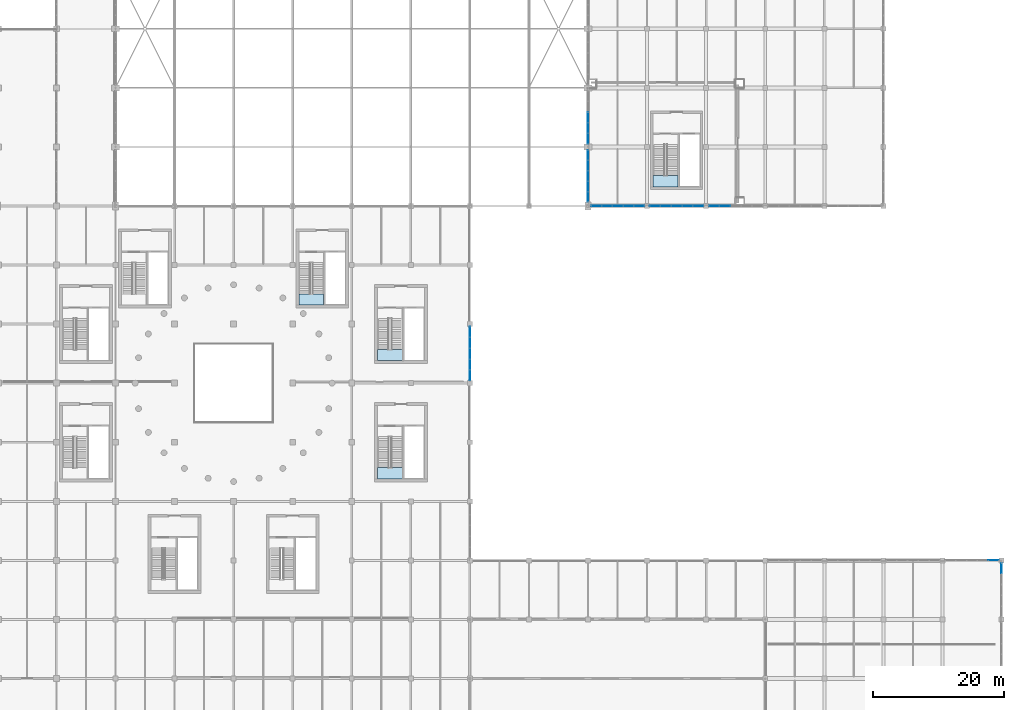
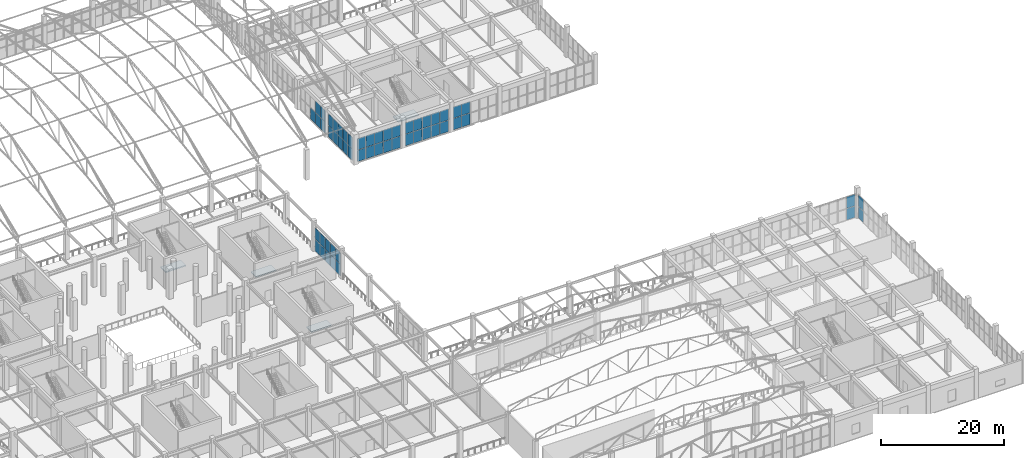
# One storey, part 176 of 223: 53 plates, 4 slabs, 12 elements without a shape of their own.
"""IFC4 building model written with IfcOpenShell, lengths in metres."""

from ifc_helpers import new_model, si_unit, direction, frame, origin, origin_2d, place, context, subcontext, project, spatial, polyline, rectangle, outline, extrude, material, layer, layer_set, type_object, element, aggregate, save


model = new_model("IFC4")

# Units and contexts
model_context = context("Model", 3, precision=1e-05, world=origin(), true_north=direction((0.0, 1.0)))
body_context = subcontext(model_context, "Body", "Model", "MODEL_VIEW")
ifc_project = project(units=[si_unit("LENGTHUNIT", "METRE"), si_unit("AREAUNIT", "SQUARE_METRE"), si_unit("VOLUMEUNIT", "CUBIC_METRE"), si_unit("PLANEANGLEUNIT", "RADIAN"), si_unit("MASSUNIT", "GRAM", prefix="KILO")], contexts=[model_context])

# Site, building, storey
site_placement = place(None, origin())
site = spatial("IfcSite", under=ifc_project, at=site_placement, CompositionType="ELEMENT")
building_placement = place(site_placement, origin())
building = spatial("IfcBuilding", under=site, at=building_placement, Name="Dornveld Trade and Exhibition Forum", CompositionType="ELEMENT")
storey_placement = place(building_placement, frame((0.0, 0.0, 6.0)))
storey = spatial("IfcBuildingStorey", under=building, at=storey_placement, Name="L01", CompositionType="ELEMENT", Elevation=6.0)

# Curtain wall, plates
ifc_material_1 = material(Name="Dark-bronze anodised aluminium and low-E glass", Category="aluminium")
ifc_layer_1 = layer(ifc_material_1, 0.1689453125)
ifc_layer_set_1 = layer_set([ifc_layer_1], Name="Dark-bronze anodised aluminium and low-E glass")
curtain_wall_type_1 = type_object("IfcCurtainWallType", Name="CW-SYS-09", PredefinedType="USERDEFINED", material=ifc_layer_set_1)
curtain_wall_1_placement = place(storey_placement, origin())
curtain_wall_1 = element("IfcCurtainWall", 1, at=curtain_wall_1_placement, inside=storey, type_object=curtain_wall_type_1, Name="L01 unitised curtain wall 9", ObjectType="UNITISED_CURTAIN_WALL", PredefinedType="USERDEFINED")
ifc_material_2 = material(Name="Double-glazed low-E solar control glass", Category="glass")
ifc_layer_2 = layer(ifc_material_2, 0.02587890625)
ifc_layer_set_2 = layer_set([ifc_layer_2], Name="Double-glazed low-E solar control glass")
plate_type_1 = type_object("IfcPlateType", Name="CW-PNL-01", PredefinedType="CURTAIN_PANEL", material=ifc_layer_set_2)
plate_1_placement = place(storey_placement, frame((171.0, 118.271728515625, 0.05615234375), z_axis=(0.0, 0.0, 1.0), x_axis=(0.0, 1.0, 0.0)))
plate_1 = element("IfcPlate", 2, at=plate_1_placement, type_object=plate_type_1, Name="CW-09 panel 1.1", PredefinedType="CURTAIN_PANEL", context=body_context, shape_type="SweptSolid", body=[
    extrude(rectangle(XDim=1.531494140625, YDim=0.02587890625, at=origin_2d()), origin(), (0.0, 0.0, 1.0), 2.261962890625),
])
plate_2_placement = place(storey_placement, frame((171.0, 118.271728515625, 2.3779296875), z_axis=(0.0, 0.0, 1.0), x_axis=(0.0, 1.0, 0.0)))
plate_2 = element("IfcPlate", 3, at=plate_2_placement, type_object=plate_type_1, Name="CW-09 panel 1.2", PredefinedType="CURTAIN_PANEL", context=body_context, shape_type="SweptSolid", body=[
    extrude(rectangle(XDim=1.531494140625, YDim=0.02587890625, at=origin_2d()), origin(), (0.0, 0.0, 1.0), 2.261962890625),
])
plate_3_placement = place(storey_placement, frame((171.0, 119.87841796875, 0.05615234375), z_axis=(0.0, 0.0, 1.0), x_axis=(0.0, 1.0, 0.0)))
plate_3 = element("IfcPlate", 4, at=plate_3_placement, type_object=plate_type_1, Name="CW-09 panel 2.1", PredefinedType="CURTAIN_PANEL", context=body_context, shape_type="SweptSolid", body=[
    extrude(rectangle(XDim=1.5615234375, YDim=0.02587890625, at=origin_2d()), origin(), (0.0, 0.0, 1.0), 2.261962890625),
])
plate_4_placement = place(storey_placement, frame((171.0, 119.87841796875, 2.3779296875), z_axis=(0.0, 0.0, 1.0), x_axis=(0.0, 1.0, 0.0)))
plate_4 = element("IfcPlate", 5, at=plate_4_placement, type_object=plate_type_1, Name="CW-09 panel 2.2", PredefinedType="CURTAIN_PANEL", context=body_context, shape_type="SweptSolid", body=[
    extrude(rectangle(XDim=1.5615234375, YDim=0.02587890625, at=origin_2d()), origin(), (0.0, 0.0, 1.0), 2.261962890625),
])
plate_5_placement = place(storey_placement, frame((171.0, 121.5, 0.05615234375), z_axis=(0.0, 0.0, 1.0), x_axis=(0.0, 1.0, 0.0)))
plate_5 = element("IfcPlate", 6, at=plate_5_placement, type_object=plate_type_1, Name="CW-09 panel 3.1", PredefinedType="CURTAIN_PANEL", context=body_context, shape_type="SweptSolid", body=[
    extrude(rectangle(XDim=1.5615234375, YDim=0.02587890625, at=origin_2d()), origin(), (0.0, 0.0, 1.0), 2.261962890625),
])
aggregate(curtain_wall_1, [plate_1, plate_2, plate_3, plate_4, plate_5])

ifc_material_3 = material(Name="Dark-bronze anodised aluminium and low-E glass", Category="aluminium")
ifc_layer_3 = layer(ifc_material_3, 0.18701171875)
ifc_layer_set_3 = layer_set([ifc_layer_3], Name="Dark-bronze anodised aluminium and low-E glass")
curtain_wall_type_2 = type_object("IfcCurtainWallType", Name="CW-SYS-15", PredefinedType="USERDEFINED", material=ifc_layer_set_3)
curtain_wall_2_placement = place(storey_placement, origin())
curtain_wall_2 = element("IfcCurtainWall", 7, at=curtain_wall_2_placement, inside=storey, type_object=curtain_wall_type_2, Name="L01 unitised curtain wall 105", ObjectType="UNITISED_CURTAIN_WALL", PredefinedType="USERDEFINED")
plate_6_placement = place(storey_placement, frame((181.2119140625, 108.0, 0.05615234375), z_axis=(0.0, 0.0, 1.0), x_axis=(1.0, 0.0, 0.0)))
plate_6 = element("IfcPlate", 8, at=plate_6_placement, type_object=plate_type_1, Name="CW-15 panel 1.1", PredefinedType="CURTAIN_PANEL", context=body_context, shape_type="SweptSolid", body=[
    extrude(rectangle(XDim=1.5615234375, YDim=0.02587890625, at=origin_2d()), origin(), (0.0, 0.0, 1.0), 2.261962890625),
])
plate_7_placement = place(storey_placement, frame((181.2119140625, 108.0, 2.3779296875), z_axis=(0.0, 0.0, 1.0), x_axis=(1.0, 0.0, 0.0)))
plate_7 = element("IfcPlate", 9, at=plate_7_placement, type_object=plate_type_1, Name="CW-15 panel 1.2", PredefinedType="CURTAIN_PANEL", context=body_context, shape_type="SweptSolid", body=[
    extrude(rectangle(XDim=1.5615234375, YDim=0.02587890625, at=origin_2d()), origin(), (0.0, 0.0, 1.0), 2.261962890625),
])
plate_8_placement = place(storey_placement, frame((182.848388671875, 108.0, 0.05615234375), z_axis=(0.0, 0.0, 1.0), x_axis=(1.0, 0.0, 0.0)))
plate_8 = element("IfcPlate", 10, at=plate_8_placement, type_object=plate_type_1, Name="CW-15 panel 2.1", PredefinedType="CURTAIN_PANEL", context=body_context, shape_type="SweptSolid", body=[
    extrude(rectangle(XDim=1.591552734375, YDim=0.02587890625, at=origin_2d()), origin(), (0.0, 0.0, 1.0), 2.261962890625),
])
plate_9_placement = place(storey_placement, frame((182.848388671875, 108.0, 2.3779296875), z_axis=(0.0, 0.0, 1.0), x_axis=(1.0, 0.0, 0.0)))
plate_9 = element("IfcPlate", 11, at=plate_9_placement, type_object=plate_type_1, Name="CW-15 panel 2.2", PredefinedType="CURTAIN_PANEL", context=body_context, shape_type="SweptSolid", body=[
    extrude(rectangle(XDim=1.591552734375, YDim=0.02587890625, at=origin_2d()), origin(), (0.0, 0.0, 1.0), 2.261962890625),
])
plate_10_placement = place(storey_placement, frame((184.5, 108.0, 0.05615234375), z_axis=(0.0, 0.0, 1.0), x_axis=(1.0, 0.0, 0.0)))
plate_10 = element("IfcPlate", 12, at=plate_10_placement, type_object=plate_type_1, Name="CW-15 panel 3.1", PredefinedType="CURTAIN_PANEL", context=body_context, shape_type="SweptSolid", body=[
    extrude(rectangle(XDim=1.591552734375, YDim=0.02587890625, at=origin_2d()), origin(), (0.0, 0.0, 1.0), 2.261962890625),
])
plate_11_placement = place(storey_placement, frame((184.5, 108.0, 2.3779296875), z_axis=(0.0, 0.0, 1.0), x_axis=(1.0, 0.0, 0.0)))
plate_11 = element("IfcPlate", 13, at=plate_11_placement, type_object=plate_type_1, Name="CW-15 panel 3.2", PredefinedType="CURTAIN_PANEL", context=body_context, shape_type="SweptSolid", body=[
    extrude(rectangle(XDim=1.591552734375, YDim=0.02587890625, at=origin_2d()), origin(), (0.0, 0.0, 1.0), 2.261962890625),
])
plate_12_placement = place(storey_placement, frame((186.151611328125, 108.0, 0.05615234375), z_axis=(0.0, 0.0, 1.0), x_axis=(1.0, 0.0, 0.0)))
plate_12 = element("IfcPlate", 14, at=plate_12_placement, type_object=plate_type_1, Name="CW-15 panel 4.1", PredefinedType="CURTAIN_PANEL", context=body_context, shape_type="SweptSolid", body=[
    extrude(rectangle(XDim=1.591552734375, YDim=0.02587890625, at=origin_2d()), origin(), (0.0, 0.0, 1.0), 2.261962890625),
])
plate_13_placement = place(storey_placement, frame((186.151611328125, 108.0, 2.3779296875), z_axis=(0.0, 0.0, 1.0), x_axis=(1.0, 0.0, 0.0)))
plate_13 = element("IfcPlate", 15, at=plate_13_placement, type_object=plate_type_1, Name="CW-15 panel 4.2", PredefinedType="CURTAIN_PANEL", context=body_context, shape_type="SweptSolid", body=[
    extrude(rectangle(XDim=1.591552734375, YDim=0.02587890625, at=origin_2d()), origin(), (0.0, 0.0, 1.0), 2.261962890625),
])
plate_14_placement = place(storey_placement, frame((187.7880859375, 108.0, 0.05615234375), z_axis=(0.0, 0.0, 1.0), x_axis=(1.0, 0.0, 0.0)))
plate_14 = element("IfcPlate", 16, at=plate_14_placement, type_object=plate_type_1, Name="CW-15 panel 5.1", PredefinedType="CURTAIN_PANEL", context=body_context, shape_type="SweptSolid", body=[
    extrude(rectangle(XDim=1.5615234375, YDim=0.02587890625, at=origin_2d()), origin(), (0.0, 0.0, 1.0), 2.261962890625),
])
plate_15_placement = place(storey_placement, frame((187.7880859375, 108.0, 2.3779296875), z_axis=(0.0, 0.0, 1.0), x_axis=(1.0, 0.0, 0.0)))
plate_15 = element("IfcPlate", 17, at=plate_15_placement, type_object=plate_type_1, Name="CW-15 panel 5.2", PredefinedType="CURTAIN_PANEL", context=body_context, shape_type="SweptSolid", body=[
    extrude(rectangle(XDim=1.5615234375, YDim=0.02587890625, at=origin_2d()), origin(), (0.0, 0.0, 1.0), 2.261962890625),
])
aggregate(curtain_wall_2, [plate_6, plate_7, plate_8, plate_9, plate_10, plate_11, plate_12, plate_13, plate_14, plate_15])

ifc_material_4 = material(Name="Dark-bronze anodised aluminium and low-E glass", Category="aluminium")
ifc_layer_4 = layer(ifc_material_4, 0.196044921875)
ifc_layer_set_4 = layer_set([ifc_layer_4], Name="Dark-bronze anodised aluminium and low-E glass")
curtain_wall_type_3 = type_object("IfcCurtainWallType", Name="CW-SYS-18", PredefinedType="USERDEFINED", material=ifc_layer_set_4)
curtain_wall_3_placement = place(storey_placement, origin())
curtain_wall_3 = element("IfcCurtainWall", 18, at=curtain_wall_3_placement, inside=storey, type_object=curtain_wall_type_3, Name="L01 unitised curtain wall 90", ObjectType="UNITISED_CURTAIN_WALL", PredefinedType="USERDEFINED")
ifc_material_5 = material(Name="Double-glazed low-E solar control glass", Category="glass")
ifc_layer_5 = layer(ifc_material_5, 0.028076171875)
ifc_layer_set_5 = layer_set([ifc_layer_5], Name="Double-glazed low-E solar control glass")
plate_type_2 = type_object("IfcPlateType", Name="CW-PNL-02", PredefinedType="CURTAIN_PANEL", material=ifc_layer_set_5)
plate_16_placement = place(storey_placement, frame((232.7880859375, 54.0, 0.05615234375), z_axis=(0.0, 0.0, 1.0), x_axis=(-1.0, 0.0, 0.0)))
plate_16 = element("IfcPlate", 19, at=plate_16_placement, type_object=plate_type_2, Name="CW-18 panel 1.1", PredefinedType="CURTAIN_PANEL", context=body_context, shape_type="SweptSolid", body=[
    extrude(rectangle(XDim=1.5615234375, YDim=0.028076171875, at=origin_2d()), origin(), (0.0, 0.0, 1.0), 2.261962890625),
])
plate_17_placement = place(storey_placement, frame((232.7880859375, 54.0, 2.3779296875), z_axis=(0.0, 0.0, 1.0), x_axis=(-1.0, 0.0, 0.0)))
plate_17 = element("IfcPlate", 20, at=plate_17_placement, type_object=plate_type_2, Name="CW-18 panel 1.2", PredefinedType="CURTAIN_PANEL", context=body_context, shape_type="SweptSolid", body=[
    extrude(rectangle(XDim=1.5615234375, YDim=0.028076171875, at=origin_2d()), origin(), (0.0, 0.0, 1.0), 2.261962890625),
])
aggregate(curtain_wall_3, [plate_16, plate_17])

ifc_material_6 = material(Name="Dark-bronze anodised aluminium and low-E glass", Category="aluminium")
ifc_layer_6 = layer(ifc_material_6, 0.18994140625)
ifc_layer_set_6 = layer_set([ifc_layer_6], Name="Dark-bronze anodised aluminium and low-E glass")
curtain_wall_type_4 = type_object("IfcCurtainWallType", Name="CW-SYS-16", PredefinedType="USERDEFINED", material=ifc_layer_set_6)
curtain_wall_4_placement = place(storey_placement, origin())
curtain_wall_4 = element("IfcCurtainWall", 21, at=curtain_wall_4_placement, inside=storey, type_object=curtain_wall_type_4, Name="L01 unitised curtain wall 106", ObjectType="UNITISED_CURTAIN_WALL", PredefinedType="USERDEFINED")
plate_18_placement = place(storey_placement, frame((190.2119140625, 108.0, 0.05615234375), z_axis=(0.0, 0.0, 1.0), x_axis=(1.0, 0.0, 0.0)))
plate_18 = element("IfcPlate", 22, at=plate_18_placement, type_object=plate_type_2, Name="CW-16 panel 1.1", PredefinedType="CURTAIN_PANEL", context=body_context, shape_type="SweptSolid", body=[
    extrude(rectangle(XDim=1.5615234375, YDim=0.028076171875, at=origin_2d()), origin(), (0.0, 0.0, 1.0), 2.261962890625),
])
plate_19_placement = place(storey_placement, frame((190.2119140625, 108.0, 2.3779296875), z_axis=(0.0, 0.0, 1.0), x_axis=(1.0, 0.0, 0.0)))
plate_19 = element("IfcPlate", 23, at=plate_19_placement, type_object=plate_type_2, Name="CW-16 panel 1.2", PredefinedType="CURTAIN_PANEL", context=body_context, shape_type="SweptSolid", body=[
    extrude(rectangle(XDim=1.5615234375, YDim=0.028076171875, at=origin_2d()), origin(), (0.0, 0.0, 1.0), 2.261962890625),
])
plate_20_placement = place(storey_placement, frame((191.848388671875, 108.0, 0.05615234375), z_axis=(0.0, 0.0, 1.0), x_axis=(1.0, 0.0, 0.0)))
plate_20 = element("IfcPlate", 24, at=plate_20_placement, type_object=plate_type_2, Name="CW-16 panel 2.1", PredefinedType="CURTAIN_PANEL", context=body_context, shape_type="SweptSolid", body=[
    extrude(rectangle(XDim=1.591552734375, YDim=0.028076171875, at=origin_2d()), origin(), (0.0, 0.0, 1.0), 2.261962890625),
])
plate_21_placement = place(storey_placement, frame((191.848388671875, 108.0, 2.3779296875), z_axis=(0.0, 0.0, 1.0), x_axis=(1.0, 0.0, 0.0)))
plate_21 = element("IfcPlate", 25, at=plate_21_placement, type_object=plate_type_2, Name="CW-16 panel 2.2", PredefinedType="CURTAIN_PANEL", context=body_context, shape_type="SweptSolid", body=[
    extrude(rectangle(XDim=1.591552734375, YDim=0.028076171875, at=origin_2d()), origin(), (0.0, 0.0, 1.0), 2.261962890625),
])
aggregate(curtain_wall_4, [plate_18, plate_19, plate_20, plate_21])

ifc_material_7 = material(Name="Dark-bronze anodised aluminium and low-E glass", Category="aluminium")
ifc_layer_7 = layer(ifc_material_7, 0.15087890625)
ifc_layer_set_7 = layer_set([ifc_layer_7], Name="Dark-bronze anodised aluminium and low-E glass")
curtain_wall_type_5 = type_object("IfcCurtainWallType", Name="CW-SYS-03", PredefinedType="USERDEFINED", material=ifc_layer_set_7)
curtain_wall_5_placement = place(storey_placement, origin())
curtain_wall_5 = element("IfcCurtainWall", 26, at=curtain_wall_5_placement, inside=storey, type_object=curtain_wall_type_5, Name="L01 unitised curtain wall 75", ObjectType="UNITISED_CURTAIN_WALL", PredefinedType="USERDEFINED")
ifc_material_8 = material(Name="Double-glazed low-E solar control glass", Category="glass")
ifc_layer_8 = layer(ifc_material_8, 0.030029296875)
ifc_layer_set_8 = layer_set([ifc_layer_8], Name="Double-glazed low-E solar control glass")
plate_type_3 = type_object("IfcPlateType", Name="CW-PNL-03", PredefinedType="CURTAIN_PANEL", material=ifc_layer_set_8)
plate_22_placement = place(storey_placement, frame((234.0, 52.7880859375, 0.05615234375), z_axis=(0.0, 0.0, 1.0), x_axis=(0.0, 1.0, 0.0)))
plate_22 = element("IfcPlate", 27, at=plate_22_placement, type_object=plate_type_3, Name="CW-03 panel 5.1", PredefinedType="CURTAIN_PANEL", context=body_context, shape_type="SweptSolid", body=[
    extrude(rectangle(XDim=1.5615234375, YDim=0.030029296875, at=origin_2d()), origin(), (0.0, 0.0, 1.0), 2.261962890625),
])
plate_23_placement = place(storey_placement, frame((234.0, 52.7880859375, 2.3779296875), z_axis=(0.0, 0.0, 1.0), x_axis=(0.0, 1.0, 0.0)))
plate_23 = element("IfcPlate", 28, at=plate_23_placement, type_object=plate_type_3, Name="CW-03 panel 5.2", PredefinedType="CURTAIN_PANEL", context=body_context, shape_type="SweptSolid", body=[
    extrude(rectangle(XDim=1.5615234375, YDim=0.030029296875, at=origin_2d()), origin(), (0.0, 0.0, 1.0), 2.261962890625),
])
aggregate(curtain_wall_5, [plate_22, plate_23])

ifc_material_9 = material(Name="Dark-bronze anodised aluminium and low-E glass", Category="aluminium")
ifc_layer_9 = layer(ifc_material_9, 0.1630859375)
ifc_layer_set_9 = layer_set([ifc_layer_9], Name="Dark-bronze anodised aluminium and low-E glass")
curtain_wall_type_6 = type_object("IfcCurtainWallType", Name="CW-SYS-07", PredefinedType="USERDEFINED", material=ifc_layer_set_9)
curtain_wall_6_placement = place(storey_placement, origin())
curtain_wall_6 = element("IfcCurtainWall", 29, at=curtain_wall_6_placement, inside=storey, type_object=curtain_wall_type_6, Name="L01 unitised curtain wall 61", ObjectType="UNITISED_CURTAIN_WALL", PredefinedType="USERDEFINED")
ifc_material_10 = material(Name="Double-glazed low-E solar control glass", Category="glass")
ifc_layer_10 = layer(ifc_material_10, 0.033935546875)
ifc_layer_set_10 = layer_set([ifc_layer_10], Name="Double-glazed low-E solar control glass")
plate_type_4 = type_object("IfcPlateType", Name="CW-PNL-05", PredefinedType="CURTAIN_PANEL", material=ifc_layer_set_10)
plate_24_placement = place(storey_placement, frame((153.0, 82.2119140625, 0.05615234375), z_axis=(0.0, 0.0, 1.0), x_axis=(0.0, 1.0, 0.0)))
plate_24 = element("IfcPlate", 30, at=plate_24_placement, type_object=plate_type_4, Name="CW-07 panel 1.1", PredefinedType="CURTAIN_PANEL", context=body_context, shape_type="SweptSolid", body=[
    extrude(rectangle(XDim=1.5615234375, YDim=0.033935546875, at=origin_2d()), origin(), (0.0, 0.0, 1.0), 2.261962890625),
])
plate_25_placement = place(storey_placement, frame((153.0, 82.2119140625, 2.3779296875), z_axis=(0.0, 0.0, 1.0), x_axis=(0.0, 1.0, 0.0)))
plate_25 = element("IfcPlate", 31, at=plate_25_placement, type_object=plate_type_4, Name="CW-07 panel 1.2", PredefinedType="CURTAIN_PANEL", context=body_context, shape_type="SweptSolid", body=[
    extrude(rectangle(XDim=1.5615234375, YDim=0.033935546875, at=origin_2d()), origin(), (0.0, 0.0, 1.0), 2.261962890625),
])
plate_26_placement = place(storey_placement, frame((153.0, 83.848388671875, 0.05615234375), z_axis=(0.0, 0.0, 1.0), x_axis=(0.0, 1.0, 0.0)))
plate_26 = element("IfcPlate", 32, at=plate_26_placement, type_object=plate_type_4, Name="CW-07 panel 2.1", PredefinedType="CURTAIN_PANEL", context=body_context, shape_type="SweptSolid", body=[
    extrude(rectangle(XDim=1.591552734375, YDim=0.033935546875, at=origin_2d()), origin(), (0.0, 0.0, 1.0), 2.261962890625),
])
plate_27_placement = place(storey_placement, frame((153.0, 83.848388671875, 2.3779296875), z_axis=(0.0, 0.0, 1.0), x_axis=(0.0, 1.0, 0.0)))
plate_27 = element("IfcPlate", 33, at=plate_27_placement, type_object=plate_type_4, Name="CW-07 panel 2.2", PredefinedType="CURTAIN_PANEL", context=body_context, shape_type="SweptSolid", body=[
    extrude(rectangle(XDim=1.591552734375, YDim=0.033935546875, at=origin_2d()), origin(), (0.0, 0.0, 1.0), 2.261962890625),
])
plate_28_placement = place(storey_placement, frame((153.0, 85.5, 0.05615234375), z_axis=(0.0, 0.0, 1.0), x_axis=(0.0, 1.0, 0.0)))
plate_28 = element("IfcPlate", 34, at=plate_28_placement, type_object=plate_type_4, Name="CW-07 panel 3.1", PredefinedType="CURTAIN_PANEL", context=body_context, shape_type="SweptSolid", body=[
    extrude(rectangle(XDim=1.591552734375, YDim=0.033935546875, at=origin_2d()), origin(), (0.0, 0.0, 1.0), 2.261962890625),
])
plate_29_placement = place(storey_placement, frame((153.0, 85.5, 2.3779296875), z_axis=(0.0, 0.0, 1.0), x_axis=(0.0, 1.0, 0.0)))
plate_29 = element("IfcPlate", 35, at=plate_29_placement, type_object=plate_type_4, Name="CW-07 panel 3.2", PredefinedType="CURTAIN_PANEL", context=body_context, shape_type="SweptSolid", body=[
    extrude(rectangle(XDim=1.591552734375, YDim=0.033935546875, at=origin_2d()), origin(), (0.0, 0.0, 1.0), 2.261962890625),
])
plate_30_placement = place(storey_placement, frame((153.0, 87.151611328125, 0.05615234375), z_axis=(0.0, 0.0, 1.0), x_axis=(0.0, 1.0, 0.0)))
plate_30 = element("IfcPlate", 36, at=plate_30_placement, type_object=plate_type_4, Name="CW-07 panel 4.1", PredefinedType="CURTAIN_PANEL", context=body_context, shape_type="SweptSolid", body=[
    extrude(rectangle(XDim=1.591552734375, YDim=0.033935546875, at=origin_2d()), origin(), (0.0, 0.0, 1.0), 2.261962890625),
])
plate_31_placement = place(storey_placement, frame((153.0, 87.151611328125, 2.3779296875), z_axis=(0.0, 0.0, 1.0), x_axis=(0.0, 1.0, 0.0)))
plate_31 = element("IfcPlate", 37, at=plate_31_placement, type_object=plate_type_4, Name="CW-07 panel 4.2", PredefinedType="CURTAIN_PANEL", context=body_context, shape_type="SweptSolid", body=[
    extrude(rectangle(XDim=1.591552734375, YDim=0.033935546875, at=origin_2d()), origin(), (0.0, 0.0, 1.0), 2.261962890625),
])
plate_32_placement = place(storey_placement, frame((153.0, 88.7880859375, 0.05615234375), z_axis=(0.0, 0.0, 1.0), x_axis=(0.0, 1.0, 0.0)))
plate_32 = element("IfcPlate", 38, at=plate_32_placement, type_object=plate_type_4, Name="CW-07 panel 5.1", PredefinedType="CURTAIN_PANEL", context=body_context, shape_type="SweptSolid", body=[
    extrude(rectangle(XDim=1.5615234375, YDim=0.033935546875, at=origin_2d()), origin(), (0.0, 0.0, 1.0), 2.261962890625),
])
plate_33_placement = place(storey_placement, frame((153.0, 88.7880859375, 2.3779296875), z_axis=(0.0, 0.0, 1.0), x_axis=(0.0, 1.0, 0.0)))
plate_33 = element("IfcPlate", 39, at=plate_33_placement, type_object=plate_type_4, Name="CW-07 panel 5.2", PredefinedType="CURTAIN_PANEL", context=body_context, shape_type="SweptSolid", body=[
    extrude(rectangle(XDim=1.5615234375, YDim=0.033935546875, at=origin_2d()), origin(), (0.0, 0.0, 1.0), 2.261962890625),
])
aggregate(curtain_wall_6, [plate_24, plate_25, plate_26, plate_27, plate_28, plate_29, plate_30, plate_31, plate_32, plate_33])

curtain_wall_7_placement = place(storey_placement, origin())
curtain_wall_7 = element("IfcCurtainWall", 40, at=curtain_wall_7_placement, inside=storey, type_object=curtain_wall_type_6, Name="L01 unitised curtain wall 7", ObjectType="UNITISED_CURTAIN_WALL", PredefinedType="USERDEFINED")
ifc_material_11 = material(Name="Double-glazed low-E solar control glass", Category="glass")
ifc_layer_11 = layer(ifc_material_11, 0.0380859375)
ifc_layer_set_11 = layer_set([ifc_layer_11], Name="Double-glazed low-E solar control glass")
plate_type_5 = type_object("IfcPlateType", Name="CW-PNL-07", PredefinedType="CURTAIN_PANEL", material=ifc_layer_set_11)
plate_34_placement = place(storey_placement, frame((171.0, 109.40673828125, 0.05615234375), z_axis=(0.0, 0.0, 1.0), x_axis=(0.0, 1.0, 0.0)))
plate_34 = element("IfcPlate", 41, at=plate_34_placement, type_object=plate_type_5, Name="CW-07 panel 1.1", PredefinedType="CURTAIN_PANEL", context=body_context, shape_type="SweptSolid", body=[
    extrude(rectangle(XDim=1.501708984375, YDim=0.0380859375, at=origin_2d()), origin(), (0.0, 0.0, 1.0), 2.261962890625),
])
plate_35_placement = place(storey_placement, frame((171.0, 109.40673828125, 2.3779296875), z_axis=(0.0, 0.0, 1.0), x_axis=(0.0, 1.0, 0.0)))
plate_35 = element("IfcPlate", 42, at=plate_35_placement, type_object=plate_type_5, Name="CW-07 panel 1.2", PredefinedType="CURTAIN_PANEL", context=body_context, shape_type="SweptSolid", body=[
    extrude(rectangle(XDim=1.501708984375, YDim=0.0380859375, at=origin_2d()), origin(), (0.0, 0.0, 1.0), 2.261962890625),
])
plate_36_placement = place(storey_placement, frame((171.0, 110.9833984375, 0.05615234375), z_axis=(0.0, 0.0, 1.0), x_axis=(0.0, 1.0, 0.0)))
plate_36 = element("IfcPlate", 43, at=plate_36_placement, type_object=plate_type_5, Name="CW-07 panel 2.1", PredefinedType="CURTAIN_PANEL", context=body_context, shape_type="SweptSolid", body=[
    extrude(rectangle(XDim=1.531494140625, YDim=0.0380859375, at=origin_2d()), origin(), (0.0, 0.0, 1.0), 2.261962890625),
])
plate_37_placement = place(storey_placement, frame((171.0, 110.9833984375, 2.3779296875), z_axis=(0.0, 0.0, 1.0), x_axis=(0.0, 1.0, 0.0)))
plate_37 = element("IfcPlate", 44, at=plate_37_placement, type_object=plate_type_5, Name="CW-07 panel 2.2", PredefinedType="CURTAIN_PANEL", context=body_context, shape_type="SweptSolid", body=[
    extrude(rectangle(XDim=1.531494140625, YDim=0.0380859375, at=origin_2d()), origin(), (0.0, 0.0, 1.0), 2.261962890625),
])
plate_38_placement = place(storey_placement, frame((171.0, 112.574951171875, 0.05615234375), z_axis=(0.0, 0.0, 1.0), x_axis=(0.0, 1.0, 0.0)))
plate_38 = element("IfcPlate", 45, at=plate_38_placement, type_object=plate_type_5, Name="CW-07 panel 3.1", PredefinedType="CURTAIN_PANEL", context=body_context, shape_type="SweptSolid", body=[
    extrude(rectangle(XDim=1.531494140625, YDim=0.0380859375, at=origin_2d()), origin(), (0.0, 0.0, 1.0), 2.261962890625),
])
plate_39_placement = place(storey_placement, frame((171.0, 112.574951171875, 2.3779296875), z_axis=(0.0, 0.0, 1.0), x_axis=(0.0, 1.0, 0.0)))
plate_39 = element("IfcPlate", 46, at=plate_39_placement, type_object=plate_type_5, Name="CW-07 panel 3.2", PredefinedType="CURTAIN_PANEL", context=body_context, shape_type="SweptSolid", body=[
    extrude(rectangle(XDim=1.531494140625, YDim=0.0380859375, at=origin_2d()), origin(), (0.0, 0.0, 1.0), 2.261962890625),
])
plate_40_placement = place(storey_placement, frame((171.0, 114.16650390625, 0.05615234375), z_axis=(0.0, 0.0, 1.0), x_axis=(0.0, 1.0, 0.0)))
plate_40 = element("IfcPlate", 47, at=plate_40_placement, type_object=plate_type_5, Name="CW-07 panel 4.1", PredefinedType="CURTAIN_PANEL", context=body_context, shape_type="SweptSolid", body=[
    extrude(rectangle(XDim=1.531494140625, YDim=0.0380859375, at=origin_2d()), origin(), (0.0, 0.0, 1.0), 2.261962890625),
])
plate_41_placement = place(storey_placement, frame((171.0, 114.16650390625, 2.3779296875), z_axis=(0.0, 0.0, 1.0), x_axis=(0.0, 1.0, 0.0)))
plate_41 = element("IfcPlate", 48, at=plate_41_placement, type_object=plate_type_5, Name="CW-07 panel 4.2", PredefinedType="CURTAIN_PANEL", context=body_context, shape_type="SweptSolid", body=[
    extrude(rectangle(XDim=1.531494140625, YDim=0.0380859375, at=origin_2d()), origin(), (0.0, 0.0, 1.0), 2.261962890625),
])
plate_42_placement = place(storey_placement, frame((171.0, 115.7431640625, 0.05615234375), z_axis=(0.0, 0.0, 1.0), x_axis=(0.0, 1.0, 0.0)))
plate_42 = element("IfcPlate", 49, at=plate_42_placement, type_object=plate_type_5, Name="CW-07 panel 5.1", PredefinedType="CURTAIN_PANEL", context=body_context, shape_type="SweptSolid", body=[
    extrude(rectangle(XDim=1.501708984375, YDim=0.0380859375, at=origin_2d()), origin(), (0.0, 0.0, 1.0), 2.261962890625),
])
plate_43_placement = place(storey_placement, frame((171.0, 115.7431640625, 2.3779296875), z_axis=(0.0, 0.0, 1.0), x_axis=(0.0, 1.0, 0.0)))
plate_43 = element("IfcPlate", 50, at=plate_43_placement, type_object=plate_type_5, Name="CW-07 panel 5.2", PredefinedType="CURTAIN_PANEL", context=body_context, shape_type="SweptSolid", body=[
    extrude(rectangle(XDim=1.501708984375, YDim=0.0380859375, at=origin_2d()), origin(), (0.0, 0.0, 1.0), 2.261962890625),
])
aggregate(curtain_wall_7, [plate_34, plate_35, plate_36, plate_37, plate_38, plate_39, plate_40, plate_41, plate_42, plate_43])

ifc_material_12 = material(Name="Dark-bronze anodised aluminium and low-E glass", Category="aluminium")
ifc_layer_12 = layer(ifc_material_12, 0.18408203125)
ifc_layer_set_12 = layer_set([ifc_layer_12], Name="Dark-bronze anodised aluminium and low-E glass")
curtain_wall_type_7 = type_object("IfcCurtainWallType", Name="CW-SYS-14", PredefinedType="USERDEFINED", material=ifc_layer_set_12)
curtain_wall_8_placement = place(storey_placement, origin())
curtain_wall_8 = element("IfcCurtainWall", 51, at=curtain_wall_8_placement, inside=storey, type_object=curtain_wall_type_7, Name="L01 unitised curtain wall 104", ObjectType="UNITISED_CURTAIN_WALL", PredefinedType="USERDEFINED")
ifc_material_13 = material(Name="Double-glazed low-E solar control glass", Category="glass")
ifc_layer_13 = layer(ifc_material_13, 0.0400390625)
ifc_layer_set_13 = layer_set([ifc_layer_13], Name="Double-glazed low-E solar control glass")
plate_type_6 = type_object("IfcPlateType", Name="CW-PNL-08", PredefinedType="CURTAIN_PANEL", material=ifc_layer_set_13)
plate_44_placement = place(storey_placement, frame((172.279296875, 108.0, 0.05615234375), z_axis=(0.0, 0.0, 1.0), x_axis=(1.0, 0.0, 0.0)))
plate_44 = element("IfcPlate", 52, at=plate_44_placement, type_object=plate_type_6, Name="CW-14 panel 1.1", PredefinedType="CURTAIN_PANEL", context=body_context, shape_type="SweptSolid", body=[
    extrude(rectangle(XDim=1.546630859375, YDim=0.0400390625, at=origin_2d()), origin(), (0.0, 0.0, 1.0), 2.261962890625),
])
plate_45_placement = place(storey_placement, frame((172.279296875, 108.0, 2.3779296875), z_axis=(0.0, 0.0, 1.0), x_axis=(1.0, 0.0, 0.0)))
plate_45 = element("IfcPlate", 53, at=plate_45_placement, type_object=plate_type_6, Name="CW-14 panel 1.2", PredefinedType="CURTAIN_PANEL", context=body_context, shape_type="SweptSolid", body=[
    extrude(rectangle(XDim=1.546630859375, YDim=0.0400390625, at=origin_2d()), origin(), (0.0, 0.0, 1.0), 2.261962890625),
])
plate_46_placement = place(storey_placement, frame((173.90087890625, 108.0, 0.05615234375), z_axis=(0.0, 0.0, 1.0), x_axis=(1.0, 0.0, 0.0)))
plate_46 = element("IfcPlate", 54, at=plate_46_placement, type_object=plate_type_6, Name="CW-14 panel 2.1", PredefinedType="CURTAIN_PANEL", context=body_context, shape_type="SweptSolid", body=[
    extrude(rectangle(XDim=1.57666015625, YDim=0.0400390625, at=origin_2d()), origin(), (0.0, 0.0, 1.0), 2.261962890625),
])
plate_47_placement = place(storey_placement, frame((173.90087890625, 108.0, 2.3779296875), z_axis=(0.0, 0.0, 1.0), x_axis=(1.0, 0.0, 0.0)))
plate_47 = element("IfcPlate", 55, at=plate_47_placement, type_object=plate_type_6, Name="CW-14 panel 2.2", PredefinedType="CURTAIN_PANEL", context=body_context, shape_type="SweptSolid", body=[
    extrude(rectangle(XDim=1.57666015625, YDim=0.0400390625, at=origin_2d()), origin(), (0.0, 0.0, 1.0), 2.261962890625),
])
plate_48_placement = place(storey_placement, frame((175.53759765625, 108.0, 0.05615234375), z_axis=(0.0, 0.0, 1.0), x_axis=(1.0, 0.0, 0.0)))
plate_48 = element("IfcPlate", 56, at=plate_48_placement, type_object=plate_type_6, Name="CW-14 panel 3.1", PredefinedType="CURTAIN_PANEL", context=body_context, shape_type="SweptSolid", body=[
    extrude(rectangle(XDim=1.57666015625, YDim=0.0400390625, at=origin_2d()), origin(), (0.0, 0.0, 1.0), 2.261962890625),
])
plate_49_placement = place(storey_placement, frame((175.53759765625, 108.0, 2.3779296875), z_axis=(0.0, 0.0, 1.0), x_axis=(1.0, 0.0, 0.0)))
plate_49 = element("IfcPlate", 57, at=plate_49_placement, type_object=plate_type_6, Name="CW-14 panel 3.2", PredefinedType="CURTAIN_PANEL", context=body_context, shape_type="SweptSolid", body=[
    extrude(rectangle(XDim=1.57666015625, YDim=0.0400390625, at=origin_2d()), origin(), (0.0, 0.0, 1.0), 2.261962890625),
])
plate_50_placement = place(storey_placement, frame((177.174072265625, 108.0, 0.05615234375), z_axis=(0.0, 0.0, 1.0), x_axis=(1.0, 0.0, 0.0)))
plate_50 = element("IfcPlate", 58, at=plate_50_placement, type_object=plate_type_6, Name="CW-14 panel 4.1", PredefinedType="CURTAIN_PANEL", context=body_context, shape_type="SweptSolid", body=[
    extrude(rectangle(XDim=1.57666015625, YDim=0.0400390625, at=origin_2d()), origin(), (0.0, 0.0, 1.0), 2.261962890625),
])
plate_51_placement = place(storey_placement, frame((177.174072265625, 108.0, 2.3779296875), z_axis=(0.0, 0.0, 1.0), x_axis=(1.0, 0.0, 0.0)))
plate_51 = element("IfcPlate", 59, at=plate_51_placement, type_object=plate_type_6, Name="CW-14 panel 4.2", PredefinedType="CURTAIN_PANEL", context=body_context, shape_type="SweptSolid", body=[
    extrude(rectangle(XDim=1.57666015625, YDim=0.0400390625, at=origin_2d()), origin(), (0.0, 0.0, 1.0), 2.261962890625),
])
plate_52_placement = place(storey_placement, frame((178.795654296875, 108.0, 0.05615234375), z_axis=(0.0, 0.0, 1.0), x_axis=(1.0, 0.0, 0.0)))
plate_52 = element("IfcPlate", 60, at=plate_52_placement, type_object=plate_type_6, Name="CW-14 panel 5.1", PredefinedType="CURTAIN_PANEL", context=body_context, shape_type="SweptSolid", body=[
    extrude(rectangle(XDim=1.546630859375, YDim=0.0400390625, at=origin_2d()), origin(), (0.0, 0.0, 1.0), 2.261962890625),
])
plate_53_placement = place(storey_placement, frame((178.795654296875, 108.0, 2.3779296875), z_axis=(0.0, 0.0, 1.0), x_axis=(1.0, 0.0, 0.0)))
plate_53 = element("IfcPlate", 61, at=plate_53_placement, type_object=plate_type_6, Name="CW-14 panel 5.2", PredefinedType="CURTAIN_PANEL", context=body_context, shape_type="SweptSolid", body=[
    extrude(rectangle(XDim=1.546630859375, YDim=0.0400390625, at=origin_2d()), origin(), (0.0, 0.0, 1.0), 2.261962890625),
])
aggregate(curtain_wall_8, [plate_44, plate_45, plate_46, plate_47, plate_48, plate_49, plate_50, plate_51, plate_52, plate_53])

# Stair, slab
ifc_material_14 = material(Name="Concrete C40/50", Category="concrete")
stair_type_1 = type_object("IfcStairType", Name="ST-2RET-600A", PredefinedType="HALF_TURN_STAIR", material=ifc_material_14)
stair_1_placement = place(storey_placement, origin())
stair_1 = element("IfcStair", 62, at=stair_1_placement, inside=storey, type_object=stair_type_1, Name="CORE-01 escape stair L01 to L02", PredefinedType="HALF_TURN_STAIR")
ifc_material_15 = material(Name="Concrete C40/50", Category="concrete")
ifc_layer_14 = layer(ifc_material_15, 0.199951171875)
ifc_layer_set_14 = layer_set([ifc_layer_14], Name="Concrete C40/50")
slab_type_1 = type_object("IfcSlabType", Name="SL-LAND-200", PredefinedType="LANDING", material=ifc_layer_set_14)
slab_1_placement = place(storey_placement, frame((0.0, 0.0, 2.800048828125)))
slab_1 = element("IfcSlab", 63, at=slab_1_placement, type_object=slab_type_1, Name="ST-01-L01 landing 1", PredefinedType="LANDING", context=body_context, shape_type="SweptSolid", body=[
    extrude(outline(polyline([(138.925048828125, 84.425048828125), (142.719970703125, 84.425048828125), (142.719970703125, 86.114990234375), (138.925048828125, 86.114990234375), (138.925048828125, 84.425048828125)])), origin(), (0.0, 0.0, 1.0), 0.199951171875),
])
aggregate(stair_1, [slab_1])

ifc_material_16 = material(Name="Concrete C40/50", Category="concrete")
stair_type_2 = type_object("IfcStairType", Name="ST-2RET-600B", PredefinedType="HALF_TURN_STAIR", material=ifc_material_16)
stair_2_placement = place(storey_placement, origin())
stair_2 = element("IfcStair", 64, at=stair_2_placement, inside=storey, type_object=stair_type_2, Name="CORE-02 escape stair L01 to L02", PredefinedType="HALF_TURN_STAIR")
ifc_material_17 = material(Name="Concrete C40/50", Category="concrete")
ifc_layer_15 = layer(ifc_material_17, 0.219970703125)
ifc_layer_set_15 = layer_set([ifc_layer_15], Name="Concrete C40/50")
slab_type_2 = type_object("IfcSlabType", Name="SL-LAND-220", PredefinedType="LANDING", material=ifc_layer_set_15)
slab_2_placement = place(storey_placement, frame((0.0, 0.0, 2.780029296875)))
slab_2 = element("IfcSlab", 65, at=slab_2_placement, type_object=slab_type_2, Name="ST-02-L01 landing 1", PredefinedType="LANDING", context=body_context, shape_type="SweptSolid", body=[
    extrude(outline(polyline([(126.925048828125, 92.925048828125), (130.719970703125, 92.925048828125), (130.719970703125, 94.614990234375), (126.925048828125, 94.614990234375), (126.925048828125, 92.925048828125)])), origin(), (0.0, 0.0, 1.0), 0.219970703125),
])
aggregate(stair_2, [slab_2])

stair_3_placement = place(storey_placement, origin())
stair_3 = element("IfcStair", 66, at=stair_3_placement, inside=storey, type_object=stair_type_2, Name="CORE-08 escape stair L01 to L02", PredefinedType="HALF_TURN_STAIR")
slab_3_placement = place(storey_placement, frame((0.0, 0.0, 2.780029296875)))
slab_3 = element("IfcSlab", 67, at=slab_3_placement, type_object=slab_type_2, Name="ST-08-L01 landing 1", PredefinedType="LANDING", context=body_context, shape_type="SweptSolid", body=[
    extrude(outline(polyline([(138.925048828125, 66.425048828125), (142.719970703125, 66.425048828125), (142.719970703125, 68.114990234375), (138.925048828125, 68.114990234375), (138.925048828125, 66.425048828125)])), origin(), (0.0, 0.0, 1.0), 0.219970703125),
])
aggregate(stair_3, [slab_3])

stair_4_placement = place(storey_placement, origin())
stair_4 = element("IfcStair", 68, at=stair_4_placement, inside=storey, type_object=stair_type_2, Name="CORE-12 escape stair L01 to L02", PredefinedType="HALF_TURN_STAIR")
slab_4_placement = place(storey_placement, frame((0.0, 0.0, 2.780029296875)))
slab_4 = element("IfcSlab", 69, at=slab_4_placement, type_object=slab_type_2, Name="ST-12-L01 landing 1", PredefinedType="LANDING", context=body_context, shape_type="SweptSolid", body=[
    extrude(outline(polyline([(180.875, 110.875), (184.719970703125, 110.875), (184.719970703125, 112.614990234375), (180.875, 112.614990234375), (180.875, 110.875)])), origin(), (0.0, 0.0, 1.0), 0.219970703125),
])
aggregate(stair_4, [slab_4])

save(model, "model.ifc")
